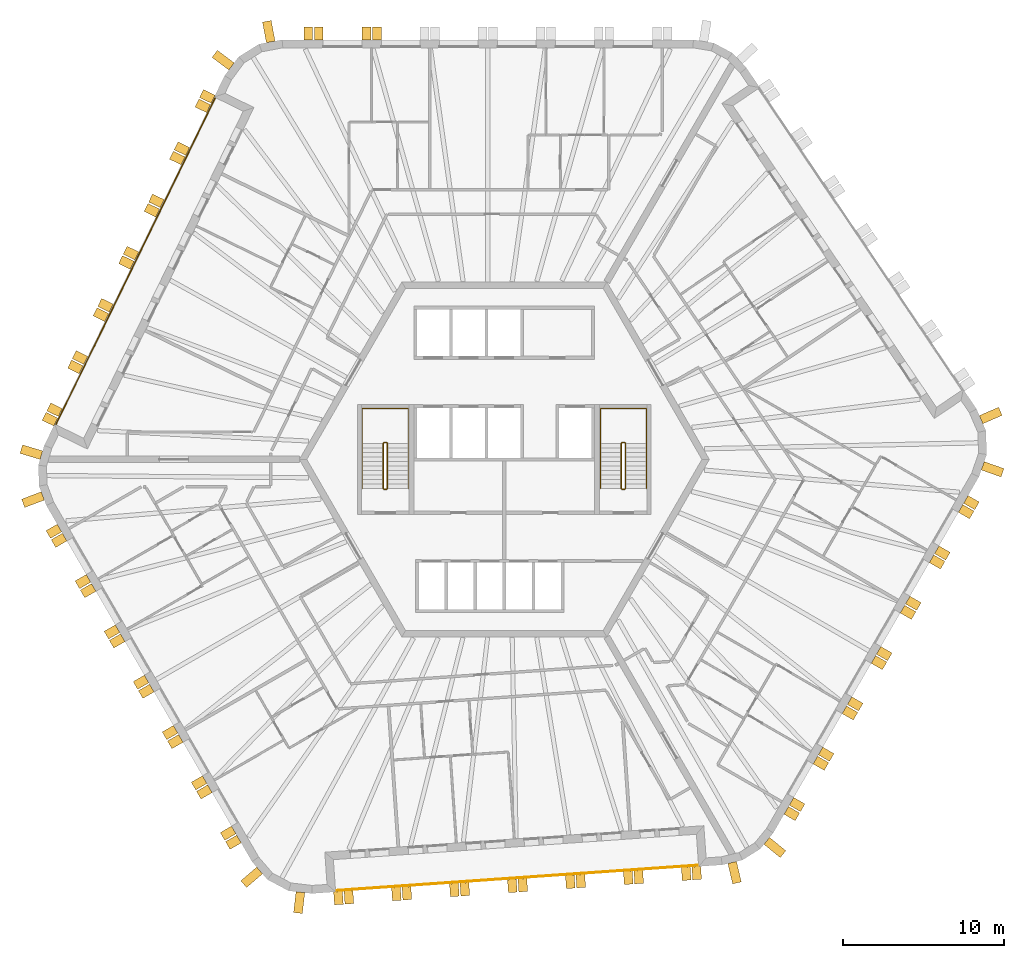
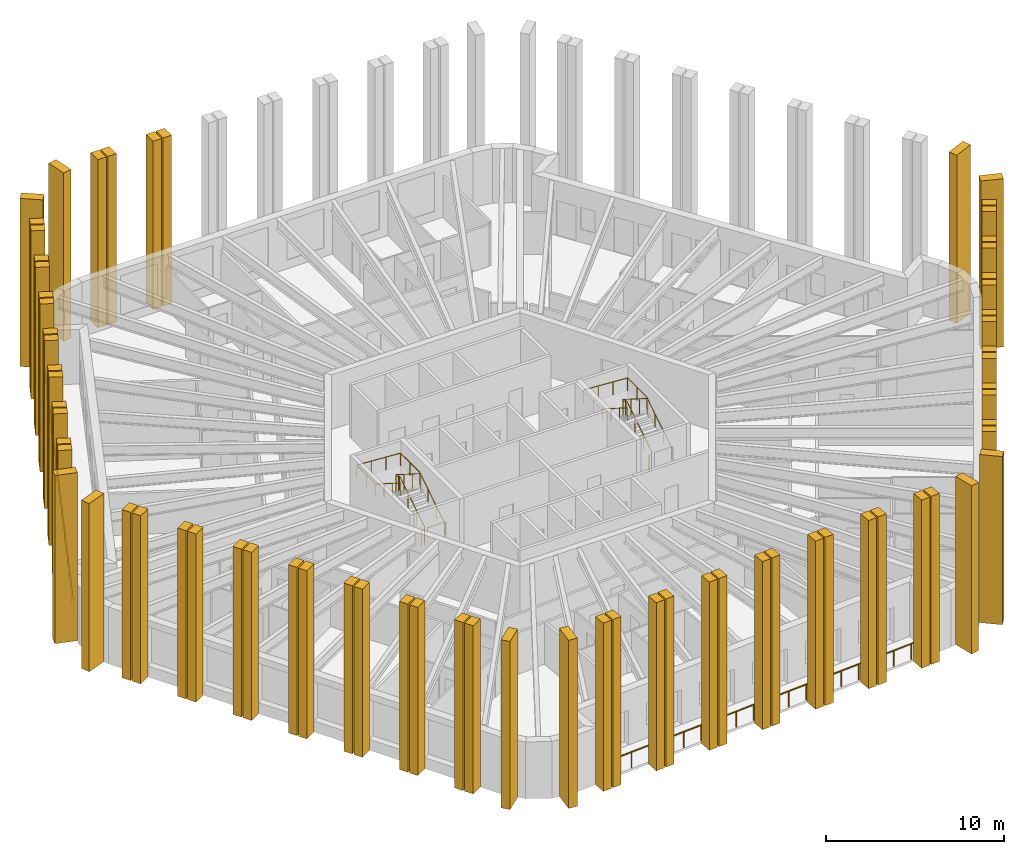
# One storey, part 12 of 13: 70 shading devices, 6 railings.
"""IFC4 building model written with IfcOpenShell, lengths in metres."""

import ifcopenshell
import ifcopenshell.guid

model = None  # the IFC model being written
_history = None  # IfcOwnerHistory: only IFC2X3 demands one
_inside = {}  # id of a spatial element -> (the spatial element, [elements in it])
_under = {}  # id of a project, library or spatial element -> (it, [spatial elements below it])
_declared = {}  # id of a project -> (the project, [libraries it declares])
_typed = {}  # id of a type object -> (the type object, [elements of that type])
_made_of = {}  # id of a material, layer set ... -> (it, [elements and type objects made of it])


def new_model(schema):
    """Start an empty IFC model of exactly this schema.

    Asked for "IFC4X3", IfcOpenShell would pick the latest addendum, in which some entities
    have other attributes; the version numbers below select the first issue.
    IFC2X3 requires an IfcOwnerHistory on every rooted entity: one is made here for all.
    """
    global model, _history
    if schema == "IFC4X3":
        model = ifcopenshell.file(schema_version=(4, 3, 0, 0))
    else:
        model = ifcopenshell.file(schema=schema)
    _inside.clear()
    _under.clear()
    _declared.clear()
    _typed.clear()
    _made_of.clear()
    _history = None
    if model.schema == "IFC2X3":
        org = make("IfcOrganization", Name="unknown")
        user = make(
            "IfcPersonAndOrganization",
            ThePerson=make("IfcPerson", FamilyName="unknown"),
            TheOrganization=org,
        )
        app = make(
            "IfcApplication",
            ApplicationDeveloper=org,
            Version="unknown",
            ApplicationFullName="unknown",
            ApplicationIdentifier="unknown",
        )
        _history = make(
            "IfcOwnerHistory",
            OwningUser=user,
            OwningApplication=app,
            ChangeAction="ADDED",
            CreationDate=0,
        )
    return model


def make(cls, **values):
    """One entity of the class cls with the attributes given. An attribute that is None is left unset."""
    return model.create_entity(
        cls, **{name: value for name, value in values.items() if value is not None}
    )


def rooted(cls, **values):
    """An entity with a GlobalId (a new one), such as an element, a storey or a relation."""
    return make(cls, GlobalId=ifcopenshell.guid.new(), OwnerHistory=_history, **values)


def si_unit(unit_type, name, prefix=None):
    """IfcSIUnit, for example si_unit("LENGTHUNIT", "METRE", prefix="MILLI")."""
    return make("IfcSIUnit", UnitType=unit_type, Prefix=prefix, Name=name)


def assignment(units):
    """IfcUnitAssignment: the units of a project."""
    return None if units is None else make("IfcUnitAssignment", Units=units)


def point(xyz):
    """IfcCartesianPoint."""
    return None if xyz is None else make("IfcCartesianPoint", Coordinates=xyz)


def direction(xyz):
    """IfcDirection."""
    return None if xyz is None else make("IfcDirection", DirectionRatios=xyz)


def frame(location, z_axis=None, x_axis=None):
    """IfcAxis2Placement3D, a coordinate frame: its origin and axes. An axis left out is left unset."""
    return make(
        "IfcAxis2Placement3D",
        Location=point(location),
        Axis=direction(z_axis),
        RefDirection=direction(x_axis),
    )


def frame_2d(location, x_axis=None):
    """IfcAxis2Placement2D, a coordinate frame in the plane: its origin and x axis."""
    return make(
        "IfcAxis2Placement2D", Location=point(location), RefDirection=direction(x_axis)
    )


def origin():
    """The frame at (0, 0, 0) with its axes left unset."""
    return frame((0.0, 0.0, 0.0))


def origin_2d():
    """The frame at (0, 0) in the plane with its x axis left unset."""
    return frame_2d((0.0, 0.0))


def place(relative_to, where):
    """IfcLocalPlacement: puts the frame where relative to a parent placement (None: the world)."""
    return make(
        "IfcLocalPlacement", PlacementRelTo=relative_to, RelativePlacement=where
    )


def context(
    kind, dimensions, precision=None, world=None, true_north=None, identifier=None
):
    """IfcGeometricRepresentationContext, for example the 3D "Model" context."""
    return make(
        "IfcGeometricRepresentationContext",
        ContextIdentifier=identifier,
        ContextType=kind,
        CoordinateSpaceDimension=dimensions,
        Precision=precision,
        WorldCoordinateSystem=world,
        TrueNorth=true_north,
    )


def subcontext(parent, identifier, kind, view, scale=None):
    """IfcGeometricRepresentationSubContext, for example "Body" below "Model"."""
    return make(
        "IfcGeometricRepresentationSubContext",
        ContextIdentifier=identifier,
        ContextType=kind,
        ParentContext=parent,
        TargetScale=scale,
        TargetView=view,
    )


def project(units=None, contexts=None):
    """IfcProject with its units and contexts."""
    return rooted(
        "IfcProject",
        Name="project",
        RepresentationContexts=contexts,
        UnitsInContext=assignment(units),
    )


def spatial(cls, under=None, at=None, **own):
    """A site, building, storey or space (cls), placed at a placement, below another one or the project."""
    s = rooted(cls, ObjectPlacement=at, **own)
    if under is not None:
        _under.setdefault(under.id(), (under, []))[1].append(s)
    return s


def polyline(points):
    """IfcPolyline through the points."""
    return make("IfcPolyline", Points=[point(p) for p in points])


def profile(cls, at=None, kind="AREA", **sizes):
    """A parametric profile (cls). Its sizes go by their IFC names, for example OverallWidth=200.0."""
    return make(cls, ProfileType=kind, Position=at, **sizes)


def circle(**sizes):
    """IfcCircleProfileDef."""
    return profile("IfcCircleProfileDef", **sizes)


def outline(outer, holes=None, kind="AREA"):
    """IfcArbitraryClosedProfileDef: a profile drawn as a closed curve; with holes, ...WithVoids."""
    if holes is None:
        return make("IfcArbitraryClosedProfileDef", ProfileType=kind, OuterCurve=outer)
    return make(
        "IfcArbitraryProfileDefWithVoids",
        ProfileType=kind,
        OuterCurve=outer,
        InnerCurves=holes,
    )


def extrude(swept, where, along, depth):
    """IfcExtrudedAreaSolid: the profile swept, set in the frame where, extruded along a direction by depth."""
    return make(
        "IfcExtrudedAreaSolid",
        SweptArea=swept,
        Position=where,
        ExtrudedDirection=direction(along),
        Depth=depth,
    )


def shape(context_of_items, identifier, shape_type, items):
    """IfcShapeRepresentation: the items that make up one representation, for example the "Body"."""
    return make(
        "IfcShapeRepresentation",
        ContextOfItems=context_of_items,
        RepresentationIdentifier=identifier,
        RepresentationType=shape_type,
        Items=items,
    )


def material(Name=None, Category=None):
    """IfcMaterial."""
    return make("IfcMaterial", Name=Name, Category=Category)


def layer(
    of_material, thickness, ventilated=None, Name=None, Category=None, Priority=None
):
    """IfcMaterialLayer: one layer of a wall or slab, of a material (None: an air gap)."""
    return make(
        "IfcMaterialLayer",
        Material=of_material,
        LayerThickness=thickness,
        IsVentilated=ventilated,
        Name=Name,
        Category=Category,
        Priority=Priority,
    )


def layer_set(layers, Name=None):
    """IfcMaterialLayerSet."""
    return make("IfcMaterialLayerSet", MaterialLayers=layers, LayerSetName=Name)


def made_of(thing, what):
    """Note that an element or type object is made of a material, layer set ...; save() writes the relation."""
    if what is not None:
        _made_of.setdefault(what.id(), (what, []))[1].append(thing)
    return thing


def type_object(cls, material=None, **own):
    """A type object (cls), such as IfcWallType, which elements share."""
    return made_of(rooted(cls, **own), material)


def element(
    cls,
    number,
    at=None,
    inside=None,
    cuts=None,
    type_object=None,
    material=None,
    context=None,
    identifier="Body",
    shape_type=None,
    held_by="IfcProductDefinitionShape",
    body=None,
    shapes=None,
    **own,
):
    """One element of the class cls, such as IfcWall. Its Tag is "e" and its number.

    at: its placement. inside: the storey or other place that contains it. cuts: it is an
    opening in that element (IfcRelVoidsElement). A single representation is given by context,
    identifier, shape_type and body (its items); several are given by shapes. held_by: the class
    of the entity that holds the representations. save() writes the other relations.
    """
    e = rooted(cls, Tag="e%d" % number, ObjectPlacement=at, **own)
    if body is not None:
        shapes = [shape(context, identifier, shape_type, body)]
    if shapes is not None:
        e.Representation = make(held_by, Representations=shapes)
    if inside is not None:
        _inside.setdefault(inside.id(), (inside, []))[1].append(e)
    if cuts is not None:
        rooted(
            "IfcRelVoidsElement", RelatingBuildingElement=cuts, RelatedOpeningElement=e
        )
    if type_object is not None:
        _typed.setdefault(type_object.id(), (type_object, []))[1].append(e)
    return made_of(e, material)


def aggregate(whole, parts):
    """IfcRelAggregates: a whole, such as a stair, and the parts it consists of."""
    return rooted("IfcRelAggregates", RelatingObject=whole, RelatedObjects=parts)


def save(model, path):
    """Write the relations noted so far, then the file.

    IfcRelAggregates (storeys below a building ...), IfcRelContainedInSpatialStructure (elements
    in a storey), IfcRelDefinesByType, IfcRelAssociatesMaterial and IfcRelDeclares: one each for
    every whole, place, type object, material and project.
    """
    for whole, parts in _under.values():
        aggregate(whole, parts)
    for where, things in _inside.values():
        rooted(
            "IfcRelContainedInSpatialStructure",
            RelatedElements=things,
            RelatingStructure=where,
        )
    for kind, things in _typed.values():
        rooted("IfcRelDefinesByType", RelatedObjects=things, RelatingType=kind)
    for what, things in _made_of.values():
        rooted("IfcRelAssociatesMaterial", RelatedObjects=things, RelatingMaterial=what)
    for by, libraries in _declared.values():
        rooted("IfcRelDeclares", RelatingContext=by, RelatedDefinitions=libraries)
    model.write(path)


model = new_model("IFC4")

# Units and contexts
model_context = context("Model", 3, precision=1e-05, world=origin(), true_north=direction((0.0, 1.0)))
body_context = subcontext(model_context, "Body", "Model", "MODEL_VIEW")
ifc_project = project(units=[si_unit("LENGTHUNIT", "METRE"), si_unit("AREAUNIT", "SQUARE_METRE"), si_unit("VOLUMEUNIT", "CUBIC_METRE"), si_unit("PLANEANGLEUNIT", "RADIAN"), si_unit("MASSUNIT", "GRAM", prefix="KILO")], contexts=[model_context])

# Site, building, storey
site_placement = place(None, origin())
site = spatial("IfcSite", under=ifc_project, at=site_placement, CompositionType="ELEMENT")
building_placement = place(site_placement, origin())
building = spatial("IfcBuilding", under=site, at=building_placement, Name="Tarnside Tower", CompositionType="ELEMENT")
storey_placement = place(building_placement, frame((0.0, 0.0, 326.39990234375)))
storey = spatial("IfcBuildingStorey", under=building, at=storey_placement, Name="L79", CompositionType="ELEMENT", Elevation=326.39990234375)

# Railings
ifc_material_1 = material(Name="Toughened glass", Category="glass")
railing_type_1 = type_object("IfcRailingType", Name="Glass guard 1100", PredefinedType="GUARDRAIL", material=ifc_material_1)
railing_1_placement = place(storey_placement, frame((-17.906005859375, 22.415283203125, 0.0)))
element("IfcRailing", 1, at=railing_1_placement, inside=storey, type_object=railing_type_1, Name="Loggia guard L79 F2", PredefinedType="GUARDRAIL", context=body_context, shape_type="SweptSolid", body=[
    extrude(circle(Radius=0.030029296875, at=origin_2d()), frame((0.0, 0.0, 1.070068359375), z_axis=(-0.438372639335, -0.898793318335, 0.0), x_axis=(0.898793318335, -0.438372639335, 0.0)), (0.0, 0.0, 1.0), 22.544921875),
    extrude(circle(Radius=0.02490234375, at=origin_2d()), origin(), (0.0, 0.0, 1.0), 1.0400390625),
    extrude(circle(Radius=0.02490234375, at=origin_2d()), frame((-0.520263671875, -1.06640625, 0.0)), (0.0, 0.0, 1.0), 1.0400390625),
    extrude(circle(Radius=0.02490234375, at=origin_2d()), frame((-1.040283203125, -2.133056640625, 0.0)), (0.0, 0.0, 1.0), 1.0400390625),
    extrude(circle(Radius=0.02490234375, at=origin_2d()), frame((-1.560546875, -3.199462890625, 0.0)), (0.0, 0.0, 1.0), 1.0400390625),
    extrude(circle(Radius=0.02490234375, at=origin_2d()), frame((-2.08056640625, -4.265869140625, 0.0)), (0.0, 0.0, 1.0), 1.0400390625),
    extrude(circle(Radius=0.02490234375, at=origin_2d()), frame((-2.600830078125, -5.33251953125, 0.0)), (0.0, 0.0, 1.0), 1.0400390625),
    extrude(circle(Radius=0.02490234375, at=origin_2d()), frame((-3.120849609375, -6.39892578125, 0.0)), (0.0, 0.0, 1.0), 1.0400390625),
    extrude(circle(Radius=0.02490234375, at=origin_2d()), frame((-3.64111328125, -7.46533203125, 0.0)), (0.0, 0.0, 1.0), 1.0400390625),
    extrude(circle(Radius=0.02490234375, at=origin_2d()), frame((-4.161376953125, -8.531982421875, 0.0)), (0.0, 0.0, 1.0), 1.0400390625),
    extrude(circle(Radius=0.02490234375, at=origin_2d()), frame((-4.681396484375, -9.598388671875, 0.0)), (0.0, 0.0, 1.0), 1.0400390625),
    extrude(circle(Radius=0.02490234375, at=origin_2d()), frame((-5.20166015625, -10.664794921875, 0.0)), (0.0, 0.0, 1.0), 1.0400390625),
    extrude(circle(Radius=0.02490234375, at=origin_2d()), frame((-5.7216796875, -11.731201171875, 0.0)), (0.0, 0.0, 1.0), 1.0400390625),
    extrude(circle(Radius=0.02490234375, at=origin_2d()), frame((-6.241943359375, -12.7978515625, 0.0)), (0.0, 0.0, 1.0), 1.0400390625),
    extrude(circle(Radius=0.02490234375, at=origin_2d()), frame((-6.76220703125, -13.8642578125, 0.0)), (0.0, 0.0, 1.0), 1.0400390625),
    extrude(circle(Radius=0.02490234375, at=origin_2d()), frame((-7.2822265625, -14.9306640625, 0.0)), (0.0, 0.0, 1.0), 1.0400390625),
    extrude(circle(Radius=0.02490234375, at=origin_2d()), frame((-7.802490234375, -15.997314453125, 0.0)), (0.0, 0.0, 1.0), 1.0400390625),
    extrude(circle(Radius=0.02490234375, at=origin_2d()), frame((-8.322509765625, -17.063720703125, 0.0)), (0.0, 0.0, 1.0), 1.0400390625),
    extrude(circle(Radius=0.02490234375, at=origin_2d()), frame((-8.8427734375, -18.130126953125, 0.0)), (0.0, 0.0, 1.0), 1.0400390625),
    extrude(circle(Radius=0.02490234375, at=origin_2d()), frame((-9.36279296875, -19.19677734375, 0.0)), (0.0, 0.0, 1.0), 1.0400390625),
    extrude(circle(Radius=0.02490234375, at=origin_2d()), frame((-9.883056640625, -20.26318359375, 0.0)), (0.0, 0.0, 1.0), 1.0400390625),
])
railing_2_placement = place(storey_placement, frame((-10.458984375, -26.714599609375, 0.0)))
element("IfcRailing", 2, at=railing_2_placement, inside=storey, type_object=railing_type_1, Name="Loggia guard L79 F4", PredefinedType="GUARDRAIL", context=body_context, shape_type="SweptSolid", body=[
    extrude(circle(Radius=0.030029296875, at=origin_2d()), frame((0.0, 0.0, 1.070068359375), z_axis=(0.997564440639, 0.069750890837, 0.0), x_axis=(-0.069750890837, 0.997564440639, 0.0)), (0.0, 0.0, 1.0), 22.544677734375),
    extrude(circle(Radius=0.02490234375, at=origin_2d()), origin(), (0.0, 0.0, 1.0), 1.0400390625),
    extrude(circle(Radius=0.02490234375, at=origin_2d()), frame((1.18359375, 0.082763671875, 0.0)), (0.0, 0.0, 1.0), 1.0400390625),
    extrude(circle(Radius=0.02490234375, at=origin_2d()), frame((2.367431640625, 0.16552734375, 0.0)), (0.0, 0.0, 1.0), 1.0400390625),
    extrude(circle(Radius=0.02490234375, at=origin_2d()), frame((3.551025390625, 0.248291015625, 0.0)), (0.0, 0.0, 1.0), 1.0400390625),
    extrude(circle(Radius=0.02490234375, at=origin_2d()), frame((4.734619140625, 0.3310546875, 0.0)), (0.0, 0.0, 1.0), 1.0400390625),
    extrude(circle(Radius=0.02490234375, at=origin_2d()), frame((5.91845703125, 0.413818359375, 0.0)), (0.0, 0.0, 1.0), 1.0400390625),
    extrude(circle(Radius=0.02490234375, at=origin_2d()), frame((7.10205078125, 0.49658203125, 0.0)), (0.0, 0.0, 1.0), 1.0400390625),
    extrude(circle(Radius=0.02490234375, at=origin_2d()), frame((8.28564453125, 0.579345703125, 0.0)), (0.0, 0.0, 1.0), 1.0400390625),
    extrude(circle(Radius=0.02490234375, at=origin_2d()), frame((9.469482421875, 0.662109375, 0.0)), (0.0, 0.0, 1.0), 1.0400390625),
    extrude(circle(Radius=0.02490234375, at=origin_2d()), frame((10.653076171875, 0.744873046875, 0.0)), (0.0, 0.0, 1.0), 1.0400390625),
    extrude(circle(Radius=0.02490234375, at=origin_2d()), frame((11.836669921875, 0.82763671875, 0.0)), (0.0, 0.0, 1.0), 1.0400390625),
    extrude(circle(Radius=0.02490234375, at=origin_2d()), frame((13.020263671875, 0.910400390625, 0.0)), (0.0, 0.0, 1.0), 1.0400390625),
    extrude(circle(Radius=0.02490234375, at=origin_2d()), frame((14.2041015625, 0.9931640625, 0.0)), (0.0, 0.0, 1.0), 1.0400390625),
    extrude(circle(Radius=0.02490234375, at=origin_2d()), frame((15.3876953125, 1.075927734375, 0.0)), (0.0, 0.0, 1.0), 1.0400390625),
    extrude(circle(Radius=0.02490234375, at=origin_2d()), frame((16.5712890625, 1.15869140625, 0.0)), (0.0, 0.0, 1.0), 1.0400390625),
    extrude(circle(Radius=0.02490234375, at=origin_2d()), frame((17.755126953125, 1.241455078125, 0.0)), (0.0, 0.0, 1.0), 1.0400390625),
    extrude(circle(Radius=0.02490234375, at=origin_2d()), frame((18.938720703125, 1.32421875, 0.0)), (0.0, 0.0, 1.0), 1.0400390625),
    extrude(circle(Radius=0.02490234375, at=origin_2d()), frame((20.122314453125, 1.406982421875, 0.0)), (0.0, 0.0, 1.0), 1.0400390625),
    extrude(circle(Radius=0.02490234375, at=origin_2d()), frame((21.30615234375, 1.48974609375, 0.0)), (0.0, 0.0, 1.0), 1.0400390625),
    extrude(circle(Radius=0.02490234375, at=origin_2d()), frame((22.48974609375, 1.572509765625, 0.0)), (0.0, 0.0, 1.0), 1.0400390625),
])

# Shading devices
ifc_material_2 = material(Name="Concrete C50/60 white precast", Category="concrete")
ifc_layer_1 = layer(ifc_material_2, 0.550048828125)
ifc_layer_set_1 = layer_set([ifc_layer_1], Name="Precast fin 550 x 1300")
shading_device_type_1 = type_object("IfcShadingDeviceType", Name="Precast fin 550 x 1300", PredefinedType="USERDEFINED", material=ifc_layer_set_1)
for number, where, z_axis, x_axis, name in (
    (3, (-14.4755859375, 25.8671875, -0.14990234375), (0.982720646705, 0.18509492305, 0.0), (-0.18509492305, 0.982720646705, 0.0), "Precast fin"),
    (4, (-16.903564453125, 24.349853515625, -0.14990234375), (0.597158591707, 0.802123192752, 0.0), (-0.802123192752, 0.597158591707, 0.0), "Precast fin"),
    (5, (-28.685791015625, 0.263427734375, -0.14990234375), (0.286803232717, 0.957989512314, 0.0), (-0.957989512314, 0.286803232717, 0.0), "Precast fin"),
    (6, (-28.597412109375, -2.263671875, -0.14990234375), (-0.352930564719, 0.935649515837, 0.0), (-0.935649515837, -0.352930564719, 0.0), "Precast fin"),
    (7, (-15.163818359375, -25.4697265625, -0.14990234375), (-0.651657228826, 0.758513583345, 0.0), (-0.758513583345, -0.651657228826, 0.0), "Precast fin"),
    (8, (-12.6357421875, -26.81396484375, -0.14990234375), (-0.993238357741, 0.116092914131, 0.0), (-0.116092914131, -0.993238357741, 0.0), "Precast fin"),
    (9, (14.11474609375, -24.974365234375, -0.14990234375), (-0.973044870581, -0.230615870737, 0.0), (0.230615870737, -0.973044870581, 0.0), "Precast fin"),
    (10, (16.25927734375, -23.63427734375, -0.14990234375), (-0.633830967394, -0.773471592738, 0.0), (0.773471592738, -0.633830967394, 0.0), "Precast fin"),
    (11, (29.639404296875, -0.3974609375, -0.14990234375), (-0.331063417879, -0.943608506396, 0.0), (0.943608506396, -0.331063417879, 0.0), "Precast fin"),
    (12, (29.53955078125, 2.464111328125, -0.14990234375), (0.396079766034, -0.918216106883, 0.0), (0.918216106883, 0.396079766034, 0.0), "Precast fin"),
):
    element("IfcShadingDevice", number, at=place(storey_placement, frame(where, z_axis=z_axis, x_axis=x_axis)), inside=storey, type_object=shading_device_type_1, Name=name, ObjectType="FIN", PredefinedType="USERDEFINED", context=body_context, shape_type="SweptSolid", body=[
        extrude(outline(polyline([(0.0, 0.0), (1.300048828125, 0.0), (1.300048828125, 11.550048828125), (0.0, 11.550048828125), (0.0, 0.0)])), frame((0.0, 0.0, -0.27490234375)), (0.0, 0.0, 1.0), 0.550048828125),
    ])
ifc_layer_2 = layer(ifc_material_2, 0.550048828125)
ifc_layer_set_2 = layer_set([ifc_layer_2], Name="Precast fin 550 x 800")
shading_device_type_2 = type_object("IfcShadingDeviceType", Name="Precast fin 550 x 800", PredefinedType="USERDEFINED", material=ifc_layer_set_2)
for number, where, z_axis, x_axis, name in (
    (13, (-7.89990234375, 26.0, -0.14990234375), (1.0, 0.0, 0.0), (0.0, 1.0, 0.0), "Precast fin"),
    (14, (-8.5498046875, 26.0, -0.14990234375), (1.0, 0.0, 0.0), (0.0, 1.0, 0.0), "Precast fin"),
    (15, (-11.499755859375, 26.0, -0.14990234375), (1.0, 0.0, 0.0), (0.0, 1.0, 0.0), "Precast fin"),
    (16, (-12.14990234375, 26.0, -0.14990234375), (1.0, 0.0, 0.0), (0.0, 1.0, 0.0), "Precast fin"),
    (17, (-18.04248046875, 22.31787109375, -0.14990234375), (0.438371146789, 0.898794046299, 0.0), (-0.898794046299, 0.438371146789, 0.0), "Precast fin"),
    (18, (-18.327392578125, 21.733642578125, -0.14990234375), (0.438371146789, 0.898794046299, 0.0), (-0.898794046299, 0.438371146789, 0.0), "Precast fin"),
    (19, (-19.62060546875, 19.08203125, -0.14990234375), (0.438371146789, 0.898794046299, 0.0), (-0.898794046299, 0.438371146789, 0.0), "Precast fin"),
    (20, (-19.905517578125, 18.497802734375, -0.14990234375), (0.438371146789, 0.898794046299, 0.0), (-0.898794046299, 0.438371146789, 0.0), "Precast fin"),
    (21, (-21.19873046875, 15.846435546875, -0.14990234375), (0.438371146789, 0.898794046299, 0.0), (-0.898794046299, 0.438371146789, 0.0), "Precast fin"),
    (22, (-21.48388671875, 15.26220703125, -0.14990234375), (0.438371146789, 0.898794046299, 0.0), (-0.898794046299, 0.438371146789, 0.0), "Precast fin"),
    (23, (-22.77685546875, 12.61083984375, -0.14990234375), (0.438371146789, 0.898794046299, 0.0), (-0.898794046299, 0.438371146789, 0.0), "Precast fin"),
    (24, (-23.06201171875, 12.026611328125, -0.14990234375), (0.438371146789, 0.898794046299, 0.0), (-0.898794046299, 0.438371146789, 0.0), "Precast fin"),
    (25, (-24.35498046875, 9.375, -0.14990234375), (0.438371146789, 0.898794046299, 0.0), (-0.898794046299, 0.438371146789, 0.0), "Precast fin"),
    (26, (-24.64013671875, 8.791015625, -0.14990234375), (0.438371146789, 0.898794046299, 0.0), (-0.898794046299, 0.438371146789, 0.0), "Precast fin"),
    (27, (-25.933349609375, 6.139404296875, -0.14990234375), (0.438371146789, 0.898794046299, 0.0), (-0.898794046299, 0.438371146789, 0.0), "Precast fin"),
    (28, (-26.21826171875, 5.55517578125, -0.14990234375), (0.438371146789, 0.898794046299, 0.0), (-0.898794046299, 0.438371146789, 0.0), "Precast fin"),
    (29, (-27.511474609375, 2.90380859375, -0.14990234375), (0.438371146789, 0.898794046299, 0.0), (-0.898794046299, 0.438371146789, 0.0), "Precast fin"),
    (30, (-27.79638671875, 2.319580078125, -0.14990234375), (0.438371146789, 0.898794046299, 0.0), (-0.898794046299, 0.438371146789, 0.0), "Precast fin"),
    (31, (-27.566650390625, -4.2529296875, -0.14990234375), (-0.5, 0.866025403784, 0.0), (-0.866025403784, -0.5, 0.0), "Precast fin"),
    (32, (-27.24169921875, -4.81591796875, -0.14990234375), (-0.5, 0.866025403784, 0.0), (-0.866025403784, -0.5, 0.0), "Precast fin"),
    (33, (-25.766845703125, -7.37060546875, -0.14990234375), (-0.5, 0.866025403784, 0.0), (-0.866025403784, -0.5, 0.0), "Precast fin"),
    (34, (-25.441650390625, -7.93359375, -0.14990234375), (-0.5, 0.866025403784, 0.0), (-0.866025403784, -0.5, 0.0), "Precast fin"),
    (35, (-23.966796875, -10.48828125, -0.14990234375), (-0.5, 0.866025403784, 0.0), (-0.866025403784, -0.5, 0.0), "Precast fin"),
    (36, (-23.641845703125, -11.05126953125, -0.14990234375), (-0.5, 0.866025403784, 0.0), (-0.866025403784, -0.5, 0.0), "Precast fin"),
    (37, (-22.166748046875, -13.60595703125, -0.14990234375), (-0.5, 0.866025403784, 0.0), (-0.866025403784, -0.5, 0.0), "Precast fin"),
    (38, (-21.841796875, -14.1689453125, -0.14990234375), (-0.5, 0.866025403784, 0.0), (-0.866025403784, -0.5, 0.0), "Precast fin"),
    (39, (-20.36669921875, -16.7236328125, -0.14990234375), (-0.5, 0.866025403784, 0.0), (-0.866025403784, -0.5, 0.0), "Precast fin"),
    (40, (-20.041748046875, -17.28662109375, -0.14990234375), (-0.5, 0.866025403784, 0.0), (-0.866025403784, -0.5, 0.0), "Precast fin"),
    (41, (-18.566650390625, -19.84130859375, -0.14990234375), (-0.5, 0.866025403784, 0.0), (-0.866025403784, -0.5, 0.0), "Precast fin"),
    (42, (-18.24169921875, -20.404296875, -0.14990234375), (-0.5, 0.866025403784, 0.0), (-0.866025403784, -0.5, 0.0), "Precast fin"),
    (43, (-16.766845703125, -22.959228515625, -0.14990234375), (-0.5, 0.866025403784, 0.0), (-0.866025403784, -0.5, 0.0), "Precast fin"),
    (44, (-16.441650390625, -23.52197265625, -0.14990234375), (-0.5, 0.866025403784, 0.0), (-0.866025403784, -0.5, 0.0), "Precast fin"),
    (45, (-10.306396484375, -26.7841796875, -0.14990234375), (-0.99756405026, -0.069756473744, 0.0), (0.069756473744, -0.99756405026, 0.0), "Precast fin"),
    (46, (-9.657958984375, -26.73876953125, -0.14990234375), (-0.99756405026, -0.069756473744, 0.0), (0.069756473744, -0.99756405026, 0.0), "Precast fin"),
    (47, (-6.71533203125, -26.532958984375, -0.14990234375), (-0.99756405026, -0.069756473744, 0.0), (0.069756473744, -0.99756405026, 0.0), "Precast fin"),
    (48, (-6.06689453125, -26.48779296875, -0.14990234375), (-0.99756405026, -0.069756473744, 0.0), (0.069756473744, -0.99756405026, 0.0), "Precast fin"),
    (49, (-3.1240234375, -26.281982421875, -0.14990234375), (-0.99756405026, -0.069756473744, 0.0), (0.069756473744, -0.99756405026, 0.0), "Precast fin"),
    (50, (-2.4755859375, -26.236572265625, -0.14990234375), (-0.99756405026, -0.069756473744, 0.0), (0.069756473744, -0.99756405026, 0.0), "Precast fin"),
    (51, (0.46728515625, -26.03076171875, -0.14990234375), (-0.99756405026, -0.069756473744, 0.0), (0.069756473744, -0.99756405026, 0.0), "Precast fin"),
    (52, (1.11572265625, -25.985595703125, -0.14990234375), (-0.99756405026, -0.069756473744, 0.0), (0.069756473744, -0.99756405026, 0.0), "Precast fin"),
    (53, (4.058349609375, -25.77978515625, -0.14990234375), (-0.99756405026, -0.069756473744, 0.0), (0.069756473744, -0.99756405026, 0.0), "Precast fin"),
    (54, (4.706787109375, -25.734375, -0.14990234375), (-0.99756405026, -0.069756473744, 0.0), (0.069756473744, -0.99756405026, 0.0), "Precast fin"),
    (55, (7.649658203125, -25.528564453125, -0.14990234375), (-0.99756405026, -0.069756473744, 0.0), (0.069756473744, -0.99756405026, 0.0), "Precast fin"),
    (56, (8.298095703125, -25.483154296875, -0.14990234375), (-0.99756405026, -0.069756473744, 0.0), (0.069756473744, -0.99756405026, 0.0), "Precast fin"),
    (57, (11.240966796875, -25.27734375, -0.14990234375), (-0.99756405026, -0.069756473744, 0.0), (0.069756473744, -0.99756405026, 0.0), "Precast fin"),
    (58, (11.889404296875, -25.232177734375, -0.14990234375), (-0.99756405026, -0.069756473744, 0.0), (0.069756473744, -0.99756405026, 0.0), "Precast fin"),
    (59, (17.466552734375, -21.7470703125, -0.14990234375), (-0.5, -0.866025403784, 0.0), (0.866025403784, -0.5, 0.0), "Precast fin"),
    (60, (17.79150390625, -21.18408203125, -0.14990234375), (-0.5, -0.866025403784, 0.0), (0.866025403784, -0.5, 0.0), "Precast fin"),
    (61, (19.2666015625, -18.62939453125, -0.14990234375), (-0.5, -0.866025403784, 0.0), (0.866025403784, -0.5, 0.0), "Precast fin"),
    (62, (19.591552734375, -18.06640625, -0.14990234375), (-0.5, -0.866025403784, 0.0), (0.866025403784, -0.5, 0.0), "Precast fin"),
    (63, (21.066650390625, -15.51171875, -0.14990234375), (-0.5, -0.866025403784, 0.0), (0.866025403784, -0.5, 0.0), "Precast fin"),
    (64, (21.3916015625, -14.94873046875, -0.14990234375), (-0.5, -0.866025403784, 0.0), (0.866025403784, -0.5, 0.0), "Precast fin"),
    (65, (22.866455078125, -12.39404296875, -0.14990234375), (-0.5, -0.866025403784, 0.0), (0.866025403784, -0.5, 0.0), "Precast fin"),
    (66, (23.191650390625, -11.8310546875, -0.14990234375), (-0.5, -0.866025403784, 0.0), (0.866025403784, -0.5, 0.0), "Precast fin"),
    (67, (24.66650390625, -9.2763671875, -0.14990234375), (-0.5, -0.866025403784, 0.0), (0.866025403784, -0.5, 0.0), "Precast fin"),
    (68, (24.991455078125, -8.71337890625, -0.14990234375), (-0.5, -0.866025403784, 0.0), (0.866025403784, -0.5, 0.0), "Precast fin"),
    (69, (26.466552734375, -6.15869140625, -0.14990234375), (-0.5, -0.866025403784, 0.0), (0.866025403784, -0.5, 0.0), "Precast fin"),
    (70, (26.79150390625, -5.595703125, -0.14990234375), (-0.5, -0.866025403784, 0.0), (0.866025403784, -0.5, 0.0), "Precast fin"),
    (71, (28.2666015625, -3.040771484375, -0.14990234375), (-0.5, -0.866025403784, 0.0), (0.866025403784, -0.5, 0.0), "Precast fin"),
    (72, (28.591552734375, -2.47802734375, -0.14990234375), (-0.5, -0.866025403784, 0.0), (0.866025403784, -0.5, 0.0), "Precast fin"),
):
    element("IfcShadingDevice", number, at=place(storey_placement, frame(where, z_axis=z_axis, x_axis=x_axis)), inside=storey, type_object=shading_device_type_2, Name=name, ObjectType="FIN", PredefinedType="USERDEFINED", context=body_context, shape_type="SweptSolid", body=[
        extrude(outline(polyline([(0.0, 0.0), (0.800048828125, 0.0), (0.800048828125, 11.550048828125), (0.0, 11.550048828125), (0.0, 0.0)])), frame((0.0, 0.0, -0.27490234375)), (0.0, 0.0, 1.0), 0.550048828125),
    ])

# Railings
ifc_material_3 = material(Name="Stainless steel", Category="steel")
railing_type_2 = type_object("IfcRailingType", Name="Stair guard 1100", PredefinedType="GUARDRAIL", material=ifc_material_3)
railing_3_placement = place(storey_placement, frame((7.300048828125, -1.85009765625, 0.0)))
element("IfcRailing", 73, at=railing_3_placement, inside=storey, type_object=railing_type_2, Name="L79 ST1 stair guard 1", PredefinedType="GUARDRAIL", context=body_context, shape_type="SweptSolid", body=[
    extrude(circle(Radius=0.02392578125, at=origin_2d()), frame((0.0, 0.0, 1.076171875), z_axis=(1.0, 0.0, 0.0), x_axis=(0.0, 1.0, 0.0)), (0.0, 0.0, 1.0), 0.14990234375),
    extrude(circle(Radius=0.02392578125, at=origin_2d()), frame((0.14990234375, 0.0, 1.076171875), z_axis=(0.261922500866, 0.261922500866, 0.928866625022), x_axis=(-0.707106781187, 0.707106781187, 0.0)), (0.0, 0.0, 1.0), 0.191162109375),
    extrude(circle(Radius=0.02392578125, at=origin_2d()), frame((0.199951171875, 0.050048828125, 1.25341796875), z_axis=(0.0, 0.844908973607, 0.534910110503), x_axis=(-1.0, 0.0, 0.0)), (0.0, 0.0, 1.0), 3.31396484375),
    extrude(circle(Radius=0.02392578125, at=origin_2d()), frame((0.199951171875, 2.85009765625, 3.0263671875), z_axis=(-0.707106781187, 0.707106781187, 0.0), x_axis=(-0.707106781187, -0.707106781187, 0.0)), (0.0, 0.0, 1.0), 0.07080078125),
    extrude(circle(Radius=0.02392578125, at=origin_2d()), frame((0.14990234375, 2.900146484375, 3.0263671875), z_axis=(-1.0, 0.0, 0.0), x_axis=(0.0, -1.0, 0.0)), (0.0, 0.0, 1.0), 0.14990234375),
    extrude(circle(Radius=0.02392578125, at=origin_2d()), frame((0.0, 2.900146484375, 3.0263671875), z_axis=(-0.262233686654, -0.262233686654, 0.928691007369), x_axis=(0.707106781187, -0.707106781187, 0.0)), (0.0, 0.0, 1.0), 0.19091796875),
    extrude(circle(Radius=0.02392578125, at=origin_2d()), frame((-0.050048828125, 2.85009765625, 3.20361328125), z_axis=(0.0, -0.844908973607, 0.534910110503), x_axis=(1.0, 0.0, 0.0)), (0.0, 0.0, 1.0), 3.31396484375),
    extrude(circle(Radius=0.02099609375, at=origin_2d()), origin(), (0.0, 0.0, 1.0), 1.052001953125),
    extrude(circle(Radius=0.02099609375, at=origin_2d()), frame((0.14990234375, 0.0, 0.0)), (0.0, 0.0, 1.0), 1.052001953125),
    extrude(circle(Radius=0.02099609375, at=origin_2d()), frame((0.199951171875, 0.050048828125, 0.177490234375)), (0.0, 0.0, 1.0), 1.052001953125),
    extrude(circle(Radius=0.02099609375, at=origin_2d()), frame((0.199951171875, 0.9833984375, 0.768310546875)), (0.0, 0.0, 1.0), 1.052001953125),
    extrude(circle(Radius=0.02099609375, at=origin_2d()), frame((0.199951171875, 1.916748046875, 1.359375)), (0.0, 0.0, 1.0), 1.052001953125),
    extrude(circle(Radius=0.02099609375, at=origin_2d()), frame((0.199951171875, 2.85009765625, 1.9501953125)), (0.0, 0.0, 1.0), 1.052001953125),
    extrude(circle(Radius=0.02099609375, at=origin_2d()), frame((0.14990234375, 2.900146484375, 1.9501953125)), (0.0, 0.0, 1.0), 1.052001953125),
    extrude(circle(Radius=0.02099609375, at=origin_2d()), frame((0.0, 2.900146484375, 1.9501953125)), (0.0, 0.0, 1.0), 1.052001953125),
    extrude(circle(Radius=0.02099609375, at=origin_2d()), frame((-0.050048828125, 2.85009765625, 2.12744140625)), (0.0, 0.0, 1.0), 1.052001953125),
    extrude(circle(Radius=0.02099609375, at=origin_2d()), frame((-0.050048828125, 1.916748046875, 2.71826171875)), (0.0, 0.0, 1.0), 1.052001953125),
    extrude(circle(Radius=0.02099609375, at=origin_2d()), frame((-0.050048828125, 0.9833984375, 3.309326171875)), (0.0, 0.0, 1.0), 1.052001953125),
    extrude(circle(Radius=0.02099609375, at=origin_2d()), frame((-0.050048828125, 0.050048828125, 3.900146484375)), (0.0, 0.0, 1.0), 1.052001953125),
])
railing_4_placement = place(storey_placement, frame((-7.449951171875, -1.85009765625, 0.0)))
element("IfcRailing", 74, at=railing_4_placement, inside=storey, type_object=railing_type_2, Name="L79 ST2 stair guard 1", PredefinedType="GUARDRAIL", context=body_context, shape_type="SweptSolid", body=[
    extrude(circle(Radius=0.02392578125, at=origin_2d()), frame((0.0, 0.0, 1.076171875), z_axis=(1.0, 0.0, 0.0), x_axis=(0.0, 1.0, 0.0)), (0.0, 0.0, 1.0), 0.14990234375),
    extrude(circle(Radius=0.02392578125, at=origin_2d()), frame((0.14990234375, 0.0, 1.076171875), z_axis=(0.261922500866, 0.261922500866, 0.928866625022), x_axis=(-0.707106781187, 0.707106781187, 0.0)), (0.0, 0.0, 1.0), 0.191162109375),
    extrude(circle(Radius=0.02392578125, at=origin_2d()), frame((0.199951171875, 0.050048828125, 1.25341796875), z_axis=(0.0, 0.844908973607, 0.534910110503), x_axis=(-1.0, 0.0, 0.0)), (0.0, 0.0, 1.0), 3.31396484375),
    extrude(circle(Radius=0.02392578125, at=origin_2d()), frame((0.199951171875, 2.85009765625, 3.0263671875), z_axis=(-0.707106781187, 0.707106781187, 0.0), x_axis=(-0.707106781187, -0.707106781187, 0.0)), (0.0, 0.0, 1.0), 0.07080078125),
    extrude(circle(Radius=0.02392578125, at=origin_2d()), frame((0.14990234375, 2.900146484375, 3.0263671875), z_axis=(-1.0, 0.0, 0.0), x_axis=(0.0, -1.0, 0.0)), (0.0, 0.0, 1.0), 0.14990234375),
    extrude(circle(Radius=0.02392578125, at=origin_2d()), frame((0.0, 2.900146484375, 3.0263671875), z_axis=(-0.262233686654, -0.262233686654, 0.928691007369), x_axis=(0.707106781187, -0.707106781187, 0.0)), (0.0, 0.0, 1.0), 0.19091796875),
    extrude(circle(Radius=0.02392578125, at=origin_2d()), frame((-0.050048828125, 2.85009765625, 3.20361328125), z_axis=(0.0, -0.844908973607, 0.534910110503), x_axis=(1.0, 0.0, 0.0)), (0.0, 0.0, 1.0), 3.31396484375),
    extrude(circle(Radius=0.02099609375, at=origin_2d()), origin(), (0.0, 0.0, 1.0), 1.052001953125),
    extrude(circle(Radius=0.02099609375, at=origin_2d()), frame((0.14990234375, 0.0, 0.0)), (0.0, 0.0, 1.0), 1.052001953125),
    extrude(circle(Radius=0.02099609375, at=origin_2d()), frame((0.199951171875, 0.050048828125, 0.177490234375)), (0.0, 0.0, 1.0), 1.052001953125),
    extrude(circle(Radius=0.02099609375, at=origin_2d()), frame((0.199951171875, 0.9833984375, 0.768310546875)), (0.0, 0.0, 1.0), 1.052001953125),
    extrude(circle(Radius=0.02099609375, at=origin_2d()), frame((0.199951171875, 1.916748046875, 1.359375)), (0.0, 0.0, 1.0), 1.052001953125),
    extrude(circle(Radius=0.02099609375, at=origin_2d()), frame((0.199951171875, 2.85009765625, 1.9501953125)), (0.0, 0.0, 1.0), 1.052001953125),
    extrude(circle(Radius=0.02099609375, at=origin_2d()), frame((0.14990234375, 2.900146484375, 1.9501953125)), (0.0, 0.0, 1.0), 1.052001953125),
    extrude(circle(Radius=0.02099609375, at=origin_2d()), frame((0.0, 2.900146484375, 1.9501953125)), (0.0, 0.0, 1.0), 1.052001953125),
    extrude(circle(Radius=0.02099609375, at=origin_2d()), frame((-0.050048828125, 2.85009765625, 2.12744140625)), (0.0, 0.0, 1.0), 1.052001953125),
    extrude(circle(Radius=0.02099609375, at=origin_2d()), frame((-0.050048828125, 1.916748046875, 2.71826171875)), (0.0, 0.0, 1.0), 1.052001953125),
    extrude(circle(Radius=0.02099609375, at=origin_2d()), frame((-0.050048828125, 0.9833984375, 3.309326171875)), (0.0, 0.0, 1.0), 1.052001953125),
    extrude(circle(Radius=0.02099609375, at=origin_2d()), frame((-0.050048828125, 0.050048828125, 3.900146484375)), (0.0, 0.0, 1.0), 1.052001953125),
])
railing_type_3 = type_object("IfcRailingType", Name="Stair handrail 900", PredefinedType="HANDRAIL", material=ifc_material_3)
railing_5_placement = place(storey_placement, frame((8.800048828125, -1.800048828125, 0.177490234375)))
element("IfcRailing", 75, at=railing_5_placement, inside=storey, type_object=railing_type_3, Name="L79 ST1 stair handrail 1", PredefinedType="HANDRAIL", context=body_context, shape_type="SweptSolid", body=[
    extrude(circle(Radius=0.02392578125, at=origin_2d()), frame((0.0, 0.0, 0.8857421875), z_axis=(0.0, 0.844908973607, 0.534910110503), x_axis=(-1.0, 0.0, 0.0)), (0.0, 0.0, 1.0), 3.31396484375),
    extrude(circle(Radius=0.02392578125, at=origin_2d()), frame((0.0, 2.800048828125, 2.65869140625), z_axis=(0.0, 1.0, 0.0), x_axis=(-1.0, 0.0, 0.0)), (0.0, 0.0, 1.0), 2.14990234375),
    extrude(circle(Radius=0.02392578125, at=origin_2d()), frame((0.0, 4.949951171875, 2.65869140625), z_axis=(-0.998071825391, 0.0, 0.06206956872), x_axis=(0.0, -1.0, 0.0)), (0.0, 0.0, 1.0), 2.855712890625),
    extrude(circle(Radius=0.02392578125, at=origin_2d()), frame((-2.85009765625, 4.949951171875, 2.8359375), z_axis=(0.0, -1.0, 0.0), x_axis=(1.0, 0.0, 0.0)), (0.0, 0.0, 1.0), 2.14990234375),
    extrude(circle(Radius=0.02392578125, at=origin_2d()), frame((-2.85009765625, 2.800048828125, 2.8359375), z_axis=(0.0, -0.844908973607, 0.534910110503), x_axis=(1.0, 0.0, 0.0)), (0.0, 0.0, 1.0), 3.31396484375),
    extrude(circle(Radius=0.02099609375, at=origin_2d()), origin(), (0.0, 0.0, 1.0), 0.86181640625),
    extrude(circle(Radius=0.02099609375, at=origin_2d()), frame((0.0, 0.933349609375, 0.5908203125)), (0.0, 0.0, 1.0), 0.86181640625),
    extrude(circle(Radius=0.02099609375, at=origin_2d()), frame((0.0, 1.86669921875, 1.181884765625)), (0.0, 0.0, 1.0), 0.86181640625),
    extrude(circle(Radius=0.02099609375, at=origin_2d()), frame((0.0, 2.800048828125, 1.772705078125)), (0.0, 0.0, 1.0), 0.86181640625),
    extrude(circle(Radius=0.02099609375, at=origin_2d()), frame((0.0, 3.875, 1.772705078125)), (0.0, 0.0, 1.0), 0.86181640625),
    extrude(circle(Radius=0.02099609375, at=origin_2d()), frame((0.0, 4.949951171875, 1.772705078125)), (0.0, 0.0, 1.0), 0.86181640625),
    extrude(circle(Radius=0.02099609375, at=origin_2d()), frame((-0.949951171875, 4.949951171875, 1.831787109375)), (0.0, 0.0, 1.0), 0.86181640625),
    extrude(circle(Radius=0.02099609375, at=origin_2d()), frame((-1.900146484375, 4.949951171875, 1.890869140625)), (0.0, 0.0, 1.0), 0.86181640625),
    extrude(circle(Radius=0.02099609375, at=origin_2d()), frame((-2.85009765625, 4.949951171875, 1.949951171875)), (0.0, 0.0, 1.0), 0.86181640625),
    extrude(circle(Radius=0.02099609375, at=origin_2d()), frame((-2.85009765625, 3.875, 1.949951171875)), (0.0, 0.0, 1.0), 0.86181640625),
    extrude(circle(Radius=0.02099609375, at=origin_2d()), frame((-2.85009765625, 2.800048828125, 1.949951171875)), (0.0, 0.0, 1.0), 0.86181640625),
    extrude(circle(Radius=0.02099609375, at=origin_2d()), frame((-2.85009765625, 1.86669921875, 2.540771484375)), (0.0, 0.0, 1.0), 0.86181640625),
    extrude(circle(Radius=0.02099609375, at=origin_2d()), frame((-2.85009765625, 0.933349609375, 3.1318359375)), (0.0, 0.0, 1.0), 0.86181640625),
    extrude(circle(Radius=0.02099609375, at=origin_2d()), frame((-2.85009765625, 0.0, 3.72265625)), (0.0, 0.0, 1.0), 0.86181640625),
])
railing_6_placement = place(storey_placement, frame((-5.949951171875, -1.800048828125, 0.177490234375)))
element("IfcRailing", 76, at=railing_6_placement, inside=storey, type_object=railing_type_3, Name="L79 ST2 stair handrail 1", PredefinedType="HANDRAIL", context=body_context, shape_type="SweptSolid", body=[
    extrude(circle(Radius=0.02392578125, at=origin_2d()), frame((0.0, 0.0, 0.8857421875), z_axis=(0.0, 0.844908973607, 0.534910110503), x_axis=(-1.0, 0.0, 0.0)), (0.0, 0.0, 1.0), 3.31396484375),
    extrude(circle(Radius=0.02392578125, at=origin_2d()), frame((0.0, 2.800048828125, 2.65869140625), z_axis=(0.0, 1.0, 0.0), x_axis=(-1.0, 0.0, 0.0)), (0.0, 0.0, 1.0), 2.14990234375),
    extrude(circle(Radius=0.02392578125, at=origin_2d()), frame((0.0, 4.949951171875, 2.65869140625), z_axis=(-0.998071825391, 0.0, 0.06206956872), x_axis=(0.0, -1.0, 0.0)), (0.0, 0.0, 1.0), 2.855712890625),
    extrude(circle(Radius=0.02392578125, at=origin_2d()), frame((-2.85009765625, 4.949951171875, 2.8359375), z_axis=(0.0, -1.0, 0.0), x_axis=(1.0, 0.0, 0.0)), (0.0, 0.0, 1.0), 2.14990234375),
    extrude(circle(Radius=0.02392578125, at=origin_2d()), frame((-2.85009765625, 2.800048828125, 2.8359375), z_axis=(0.0, -0.844908973607, 0.534910110503), x_axis=(1.0, 0.0, 0.0)), (0.0, 0.0, 1.0), 3.31396484375),
    extrude(circle(Radius=0.02099609375, at=origin_2d()), origin(), (0.0, 0.0, 1.0), 0.86181640625),
    extrude(circle(Radius=0.02099609375, at=origin_2d()), frame((0.0, 0.933349609375, 0.5908203125)), (0.0, 0.0, 1.0), 0.86181640625),
    extrude(circle(Radius=0.02099609375, at=origin_2d()), frame((0.0, 1.86669921875, 1.181884765625)), (0.0, 0.0, 1.0), 0.86181640625),
    extrude(circle(Radius=0.02099609375, at=origin_2d()), frame((0.0, 2.800048828125, 1.772705078125)), (0.0, 0.0, 1.0), 0.86181640625),
    extrude(circle(Radius=0.02099609375, at=origin_2d()), frame((0.0, 3.875, 1.772705078125)), (0.0, 0.0, 1.0), 0.86181640625),
    extrude(circle(Radius=0.02099609375, at=origin_2d()), frame((0.0, 4.949951171875, 1.772705078125)), (0.0, 0.0, 1.0), 0.86181640625),
    extrude(circle(Radius=0.02099609375, at=origin_2d()), frame((-0.949951171875, 4.949951171875, 1.831787109375)), (0.0, 0.0, 1.0), 0.86181640625),
    extrude(circle(Radius=0.02099609375, at=origin_2d()), frame((-1.900146484375, 4.949951171875, 1.890869140625)), (0.0, 0.0, 1.0), 0.86181640625),
    extrude(circle(Radius=0.02099609375, at=origin_2d()), frame((-2.85009765625, 4.949951171875, 1.949951171875)), (0.0, 0.0, 1.0), 0.86181640625),
    extrude(circle(Radius=0.02099609375, at=origin_2d()), frame((-2.85009765625, 3.875, 1.949951171875)), (0.0, 0.0, 1.0), 0.86181640625),
    extrude(circle(Radius=0.02099609375, at=origin_2d()), frame((-2.85009765625, 2.800048828125, 1.949951171875)), (0.0, 0.0, 1.0), 0.86181640625),
    extrude(circle(Radius=0.02099609375, at=origin_2d()), frame((-2.85009765625, 1.86669921875, 2.540771484375)), (0.0, 0.0, 1.0), 0.86181640625),
    extrude(circle(Radius=0.02099609375, at=origin_2d()), frame((-2.85009765625, 0.933349609375, 3.1318359375)), (0.0, 0.0, 1.0), 0.86181640625),
    extrude(circle(Radius=0.02099609375, at=origin_2d()), frame((-2.85009765625, 0.0, 3.72265625)), (0.0, 0.0, 1.0), 0.86181640625),
])

save(model, "model.ifc")
